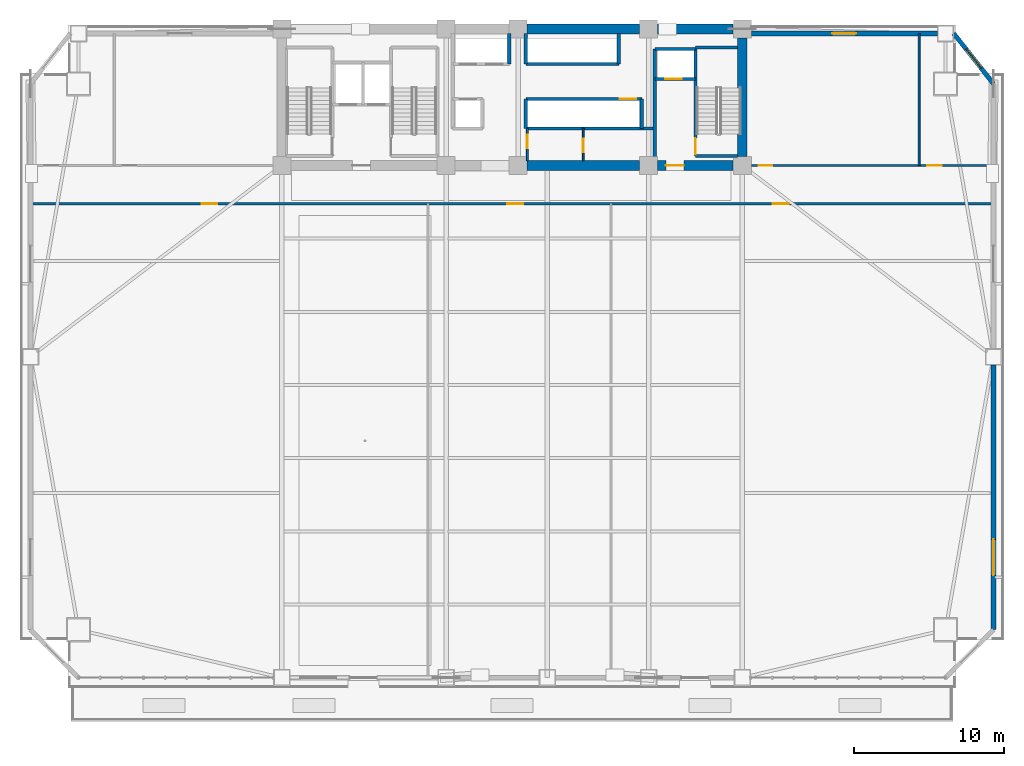
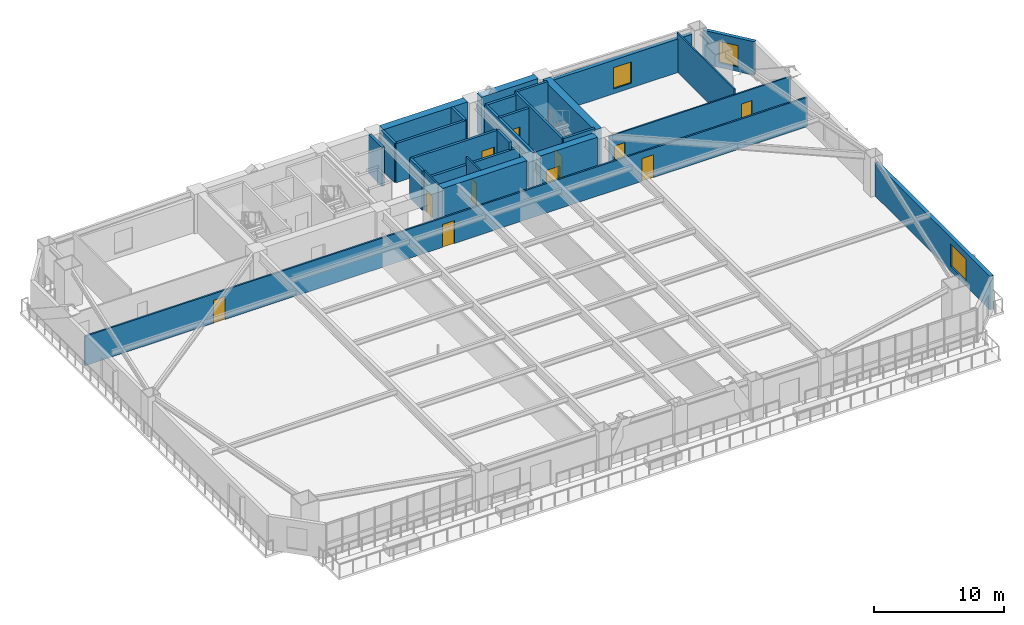
# One storey, part 10 of 17: 27 walls, 11 doors, 3 windows, 14 openings.
"""IFC4 building model written with IfcOpenShell, lengths in metres."""

from ifc_helpers import new_model, si_unit, direction, frame, frame_2d, origin, place, context, subcontext, project, spatial, rectangle, extrude, source, transform, mapped, material, layer, layer_set, type_object, element, fill, save


model = new_model("IFC4")

# Units and contexts
model_context = context("Model", 3, precision=1e-05, world=origin(), true_north=direction((0.0, 1.0)))
body_context = subcontext(model_context, "Body", "Model", "MODEL_VIEW")
ifc_project = project(units=[si_unit("LENGTHUNIT", "METRE"), si_unit("AREAUNIT", "SQUARE_METRE"), si_unit("VOLUMEUNIT", "CUBIC_METRE"), si_unit("PLANEANGLEUNIT", "RADIAN"), si_unit("MASSUNIT", "GRAM", prefix="KILO")], contexts=[model_context])

# Site, building, storey
site_placement = place(None, origin())
site = spatial("IfcSite", under=ifc_project, at=site_placement, CompositionType="ELEMENT")
building_placement = place(site_placement, origin())
building = spatial("IfcBuilding", under=site, at=building_placement, Name="Giltprow Tower", CompositionType="ELEMENT")
storey_placement = place(building_placement, frame((0.0, 0.0, 25.39990234375)))
storey = spatial("IfcBuildingStorey", under=building, at=storey_placement, Name="L06", CompositionType="ELEMENT", Elevation=25.39990234375)

# Wall, opening, window
ifc_material_1 = material(Name="Precast concrete C40", Category="concrete")
ifc_layer_1 = layer(ifc_material_1, 0.300048828125, Name="Precast concrete C40")
ifc_layer_set_1 = layer_set([ifc_layer_1], Name="Precast concrete C40")
wall_type_1 = type_object("IfcWallType", Name="EW-NOTCH-CHAMFER-300", PredefinedType="SOLIDWALL", material=ifc_layer_set_1)
wall_1_placement = place(storey_placement, frame((67.300048828125, 42.89990234375, 0.0), z_axis=(0.0, 0.0, 1.0), x_axis=(-0.620413042185, 0.784275243194, 0.0)))
wall_1 = element("IfcWall", 1, at=wall_1_placement, inside=storey, type_object=wall_type_1, Name="L06 Corner Notch Wall NE", PredefinedType="SOLIDWALL", context=body_context, shape_type="SweptSolid", body=[
    extrude(rectangle(XDim=4.271484375, YDim=0.300048828125, at=frame_2d((2.1357421875, 0.0))), origin(), (0.0, 0.0, 1.0), 3.16015625),
])
opening_1_placement = place(wall_1_placement, frame((1.3359375, 0.0, 0.449951171875)))
opening_1 = element("IfcOpeningElement", 2, at=opening_1_placement, cuts=wall_1, Name="Opening WN17", PredefinedType="OPENING", context=body_context, shape_type="SweptSolid", body=[
    extrude(rectangle(XDim=1.60009765625, YDim=2.0, at=frame_2d((0.800048828125, 1.0))), frame((0.0, 0.159912109375, 0.0), z_axis=(0.0, -1.0, 0.0), x_axis=(1.0, 0.0, 0.0)), (0.0, 0.0, 1.0), 0.320068359375),
])
ifc_material_2 = material(Name="Insulated glass", Category="glass")
window_type_1 = type_object("IfcWindowType", Name="WN-COR-1600x2000", PartitioningType="SINGLE_PANEL", PredefinedType="WINDOW", material=ifc_material_2)
shared_shape_1 = source(origin(), body_context, "Body", "SweptSolid", [
    extrude(rectangle(XDim=1.60009765625, YDim=2.0, at=frame_2d((0.800048828125, 1.0))), frame((0.0, 0.030029296875, 0.0), z_axis=(0.0, -1.0, 0.0), x_axis=(1.0, 0.0, 0.0)), (0.0, 0.0, 1.0), 0.06005859375),
])
window_1_placement = place(opening_1_placement, origin())
window_1 = element("IfcWindow", 3, at=window_1_placement, inside=storey, type_object=window_type_1, Name="L06 Corner Notch Window NE", OverallHeight=2.0, OverallWidth=1.60009765625, PartitioningType="SINGLE_PANEL", PredefinedType="WINDOW", context=body_context, shape_type="MappedRepresentation", body=[
    mapped(shared_shape_1, transform((0.0, 0.0, 0.0), x_axis=(1.0, 0.0, 0.0), y_axis=(0.0, 1.0, 0.0), z_axis=(0.0, 0.0, 1.0), scale=1.0)),
])
fill(opening_1, window_1)

ifc_layer_2 = layer(ifc_material_1, 0.320068359375, Name="Precast concrete C40")
ifc_layer_set_2 = layer_set([ifc_layer_2], Name="Precast concrete C40")
wall_type_2 = type_object("IfcWallType", Name="EW-TOW-STONE-320", PredefinedType="SOLIDWALL", material=ifc_layer_set_2)
wall_2_placement = place(storey_placement, frame((67.300048828125, 6.5, 0.0), z_axis=(0.0, 0.0, 1.0), x_axis=(0.0, 1.0, 0.0)))
wall_2 = element("IfcWall", 4, at=wall_2_placement, inside=storey, type_object=wall_type_2, Name="L06 E Wing Masonry Wall 1", PredefinedType="SOLIDWALL", context=body_context, shape_type="SweptSolid", body=[
    extrude(rectangle(XDim=17.64990234375, YDim=0.320068359375, at=frame_2d((8.824951171875, 0.0))), origin(), (0.0, 0.0, 1.0), 3.16015625),
])
opening_2_placement = place(wall_2_placement, frame((3.62890625, 0.0, 0.449951171875)))
opening_2 = element("IfcOpeningElement", 5, at=opening_2_placement, cuts=wall_2, Name="Opening WN29", PredefinedType="OPENING", context=body_context, shape_type="SweptSolid", body=[
    extrude(rectangle(XDim=2.39990234375, YDim=2.10009765625, at=frame_2d((1.199951171875, 1.050048828125))), frame((0.0, 0.169921875, 0.0), z_axis=(0.0, -1.0, 0.0), x_axis=(1.0, 0.0, 0.0)), (0.0, 0.0, 1.0), 0.340087890625),
])
window_type_2 = type_object("IfcWindowType", Name="WN-OFF-2400x2100", PartitioningType="DOUBLE_PANEL_VERTICAL", PredefinedType="WINDOW", material=ifc_material_2)
shared_shape_2 = source(origin(), body_context, "Body", "SweptSolid", [
    extrude(rectangle(XDim=2.39990234375, YDim=2.10009765625, at=frame_2d((1.199951171875, 1.050048828125))), frame((0.0, 0.030029296875, 0.0), z_axis=(0.0, -1.0, 0.0), x_axis=(1.0, 0.0, 0.0)), (0.0, 0.0, 1.0), 0.06005859375),
])
window_2_placement = place(opening_2_placement, origin())
window_2 = element("IfcWindow", 6, at=window_2_placement, inside=storey, type_object=window_type_2, Name="L06 E Wing Window 1-1A", OverallHeight=2.10009765625, OverallWidth=2.39990234375, PartitioningType="SINGLE_PANEL", PredefinedType="WINDOW", context=body_context, shape_type="MappedRepresentation", body=[
    mapped(shared_shape_2, transform((0.0, 0.0, 0.0), x_axis=(1.0, 0.0, 0.0), y_axis=(0.0, 1.0, 0.0), z_axis=(0.0, 0.0, 1.0), scale=1.0)),
])
fill(opening_2, window_2)

wall_3_placement = place(storey_placement, frame((51.14990234375, 46.25, 0.0), z_axis=(0.0, 0.0, 1.0), x_axis=(1.0, 0.0, 0.0)))
wall_3 = element("IfcWall", 7, at=wall_3_placement, inside=storey, type_object=wall_type_2, Name="L06 North-East Wing Wall", PredefinedType="SOLIDWALL", context=body_context, shape_type="SweptSolid", body=[
    extrude(rectangle(XDim=12.400146484375, YDim=0.320068359375, at=frame_2d((6.2001953125, 0.0))), origin(), (0.0, 0.0, 1.0), 3.16015625),
])
opening_3_placement = place(wall_3_placement, frame((5.39990234375, 0.0, 0.449951171875)))
opening_3 = element("IfcOpeningElement", 8, at=opening_3_placement, cuts=wall_3, Name="Opening WN17", PredefinedType="OPENING", context=body_context, shape_type="SweptSolid", body=[
    extrude(rectangle(XDim=1.60009765625, YDim=2.0, at=frame_2d((0.800048828125, 1.0))), frame((0.0, 0.169921875, 0.0), z_axis=(0.0, -1.0, 0.0), x_axis=(1.0, 0.0, 0.0)), (0.0, 0.0, 1.0), 0.340087890625),
])
window_3_placement = place(opening_3_placement, origin())
window_3 = element("IfcWindow", 9, at=window_3_placement, inside=storey, type_object=window_type_1, Name="L06 North-East Window", OverallHeight=2.0, OverallWidth=1.60009765625, PartitioningType="SINGLE_PANEL", PredefinedType="WINDOW", context=body_context, shape_type="MappedRepresentation", body=[
    mapped(shared_shape_1, transform((0.0, 0.0, 0.0), x_axis=(1.0, 0.0, 0.0), y_axis=(0.0, 1.0, 0.0), z_axis=(0.0, 0.0, 1.0), scale=1.0)),
])
fill(opening_3, window_3)

# Wall, openings, doors
ifc_material_3 = material(Name="Gypsum stud partition", Category="gypsum")
ifc_layer_3 = layer(ifc_material_3, 0.14990234375, Name="Gypsum stud partition")
ifc_layer_set_3 = layer_set([ifc_layer_3], Name="Gypsum stud partition")
wall_type_3 = type_object("IfcWallType", Name="IW-CORR-150", PredefinedType="PARTITIONING", material=ifc_layer_set_3)
wall_4_placement = place(storey_placement, frame((3.10009765625, 34.89990234375, 0.0), z_axis=(0.0, 0.0, 1.0), x_axis=(1.0, 0.0, 0.0)))
wall_4 = element("IfcWall", 10, at=wall_4_placement, inside=storey, type_object=wall_type_3, Name="L06 Office Loop Corridor Wall", PredefinedType="PARTITIONING", context=body_context, shape_type="SweptSolid", body=[
    extrude(rectangle(XDim=64.199951171875, YDim=0.14990234375, at=frame_2d((32.10009765625, 0.0))), origin(), (0.0, 0.0, 1.0), 2.76513671875),
])
opening_4_placement = place(wall_4_placement, frame((11.408935546875, 0.0, 0.0)))
opening_4 = element("IfcOpeningElement", 11, at=opening_4_placement, cuts=wall_4, Name="Opening ID31", PredefinedType="OPENING", context=body_context, shape_type="SweptSolid", body=[
    extrude(rectangle(XDim=1.050048828125, YDim=2.14990234375, at=frame_2d((0.52490234375, 1.074951171875))), frame((0.0, 0.0849609375, 0.0), z_axis=(0.0, -1.0, 0.0), x_axis=(1.0, 0.0, 0.0)), (0.0, 0.0, 1.0), 0.169921875),
])
opening_5_placement = place(wall_4_placement, frame((31.787109375, 0.0, 0.0)))
opening_5 = element("IfcOpeningElement", 12, at=opening_5_placement, cuts=wall_4, Name="Opening ID31", PredefinedType="OPENING", context=body_context, shape_type="SweptSolid", body=[
    extrude(rectangle(XDim=1.050048828125, YDim=2.14990234375, at=frame_2d((0.52490234375, 1.074951171875))), frame((0.0, 0.0849609375, 0.0), z_axis=(0.0, -1.0, 0.0), x_axis=(1.0, 0.0, 0.0)), (0.0, 0.0, 1.0), 0.169921875),
])
opening_6_placement = place(wall_4_placement, frame((49.489013671875, 0.0, 0.0)))
opening_6 = element("IfcOpeningElement", 13, at=opening_6_placement, cuts=wall_4, Name="Opening ID31", PredefinedType="OPENING", context=body_context, shape_type="SweptSolid", body=[
    extrude(rectangle(XDim=1.050048828125, YDim=2.14990234375, at=frame_2d((0.52490234375, 1.074951171875))), frame((0.0, 0.0849609375, 0.0), z_axis=(0.0, -1.0, 0.0), x_axis=(1.0, 0.0, 0.0)), (0.0, 0.0, 1.0), 0.169921875),
])
ifc_material_4 = material(Name="Engineered timber", Category="wood")
door_type_1 = type_object("IfcDoorType", Name="DR-SUITE-1050", OperationType="SINGLE_SWING_LEFT", PredefinedType="DOOR", material=ifc_material_4)
shared_shape_3 = source(origin(), body_context, "Body", "SweptSolid", [
    extrude(rectangle(XDim=1.050048828125, YDim=2.14990234375, at=frame_2d((0.52490234375, 1.074951171875))), frame((0.0, 0.02490234375, 0.0), z_axis=(0.0, -1.0, 0.0), x_axis=(1.0, 0.0, 0.0)), (0.0, 0.0, 1.0), 0.050048828125),
])
door_1_placement = place(opening_4_placement, origin())
door_1 = element("IfcDoor", 14, at=door_1_placement, inside=storey, type_object=door_type_1, Name="L06 Open-Plan Harbour Office 1 Door", OperationType="SINGLE_SWING_LEFT", OverallHeight=2.14990234375, OverallWidth=1.050048828125, PredefinedType="DOOR", context=body_context, shape_type="MappedRepresentation", body=[
    mapped(shared_shape_3, transform((0.0, 0.0, 0.0), x_axis=(1.0, 0.0, 0.0), y_axis=(0.0, 1.0, 0.0), z_axis=(0.0, 0.0, 1.0), scale=1.0)),
])
fill(opening_4, door_1)
door_2_placement = place(opening_5_placement, origin())
door_2 = element("IfcDoor", 15, at=door_2_placement, inside=storey, type_object=door_type_1, Name="L06 Advisory Floorplate Office 2 Door", OperationType="SINGLE_SWING_RIGHT", OverallHeight=2.14990234375, OverallWidth=1.050048828125, PredefinedType="DOOR", context=body_context, shape_type="MappedRepresentation", body=[
    mapped(shared_shape_3, transform((0.0, 0.0, 0.0), x_axis=(1.0, 0.0, 0.0), y_axis=(0.0, 1.0, 0.0), z_axis=(0.0, 0.0, 1.0), scale=1.0)),
])
fill(opening_5, door_2)
door_3_placement = place(opening_6_placement, origin())
door_3 = element("IfcDoor", 16, at=door_3_placement, inside=storey, type_object=door_type_1, Name="L06 Trading Floorplate Office 3 Door", OperationType="SINGLE_SWING_LEFT", OverallHeight=2.14990234375, OverallWidth=1.050048828125, PredefinedType="DOOR", context=body_context, shape_type="MappedRepresentation", body=[
    mapped(shared_shape_3, transform((0.0, 0.0, 0.0), x_axis=(1.0, 0.0, 0.0), y_axis=(0.0, 1.0, 0.0), z_axis=(0.0, 0.0, 1.0), scale=1.0)),
])
fill(opening_6, door_3)

# Wall, opening, door
ifc_material_5 = material(Name="Concrete C40", Category="concrete")
ifc_layer_4 = layer(ifc_material_5, 0.219970703125, Name="Concrete C40")
ifc_layer_set_4 = layer_set([ifc_layer_4], Name="Concrete C40")
wall_type_4 = type_object("IfcWallType", Name="IW-SHAFT-220", PredefinedType="SOLIDWALL", material=ifc_layer_set_4)
wall_5_placement = place(storey_placement, frame((44.719970703125, 43.219970703125, 0.0), z_axis=(0.0, 0.0, 1.0), x_axis=(1.0, 0.0, 0.0)))
wall_5 = element("IfcWall", 17, at=wall_5_placement, inside=storey, type_object=wall_type_4, Name="L06 FFL2 Front Shaft Wall", PredefinedType="SOLIDWALL", context=body_context, shape_type="SweptSolid", body=[
    extrude(rectangle(XDim=2.719970703125, YDim=0.219970703125, at=frame_2d((1.35986328125, 0.0))), origin(), (0.0, 0.0, 1.0), 3.68017578125),
])
opening_7_placement = place(wall_5_placement, frame((0.699951171875, 0.0, 0.0)))
opening_7 = element("IfcOpeningElement", 18, at=opening_7_placement, cuts=wall_5, Name="Opening LD-11", PredefinedType="OPENING", context=body_context, shape_type="SweptSolid", body=[
    extrude(rectangle(XDim=1.10009765625, YDim=2.199951171875, at=frame_2d((0.550048828125, 1.10009765625))), frame((0.0, 0.119873046875, 0.0), z_axis=(0.0, -1.0, 0.0), x_axis=(1.0, 0.0, 0.0)), (0.0, 0.0, 1.0), 0.239990234375),
])
ifc_material_6 = material(Name="Stainless steel", Category="steel")
door_type_2 = type_object("IfcDoorType", Name="DR-LIFT-LD1100", OperationType="SLIDING_TO_LEFT", PredefinedType="DOOR", material=ifc_material_6)
shared_shape_4 = source(origin(), body_context, "Body", "SweptSolid", [
    extrude(rectangle(XDim=1.10009765625, YDim=2.199951171875, at=frame_2d((0.550048828125, 1.10009765625))), frame((0.0, 0.02490234375, 0.0), z_axis=(0.0, -1.0, 0.0), x_axis=(1.0, 0.0, 0.0)), (0.0, 0.0, 1.0), 0.050048828125),
])
door_4_placement = place(opening_7_placement, origin())
door_4 = element("IfcDoor", 19, at=door_4_placement, inside=storey, type_object=door_type_2, Name="L06 FFL2 Landing Door", OperationType="SLIDING_TO_LEFT", OverallHeight=2.199951171875, OverallWidth=1.10009765625, PredefinedType="DOOR", context=body_context, shape_type="MappedRepresentation", body=[
    mapped(shared_shape_4, transform((0.0, 0.0, 0.0), x_axis=(1.0, 0.0, 0.0), y_axis=(0.0, 1.0, 0.0), z_axis=(0.0, 0.0, 1.0), scale=1.0)),
])
fill(opening_7, door_4)

# Walls
wall_6_placement = place(storey_placement, frame((44.719970703125, 45.219970703125, 0.0), z_axis=(0.0, 0.0, 1.0), x_axis=(1.0, 0.0, 0.0)))
element("IfcWall", 20, at=wall_6_placement, inside=storey, type_object=wall_type_4, Name="L06 FFL2 Back Shaft Wall", PredefinedType="SOLIDWALL", context=body_context, shape_type="SweptSolid", body=[
    extrude(rectangle(XDim=2.719970703125, YDim=0.219970703125, at=frame_2d((1.35986328125, 0.0))), origin(), (0.0, 0.0, 1.0), 3.68017578125),
])
wall_7_placement = place(storey_placement, frame((44.719970703125, 37.7548828125, 0.0), z_axis=(0.0, 0.0, 1.0), x_axis=(0.0, 1.0, 0.0)))
element("IfcWall", 21, at=wall_7_placement, inside=storey, type_object=wall_type_4, Name="L06 East Firefighting Lobby West Wall", PredefinedType="SOLIDWALL", context=body_context, shape_type="SweptSolid", body=[
    extrude(rectangle(XDim=7.465087890625, YDim=0.219970703125, at=frame_2d((3.732421875, 0.0))), origin(), (0.0, 0.0, 1.0), 3.68017578125),
])
wall_8_placement = place(storey_placement, frame((36.1201171875, 44.219970703125, 0.0), z_axis=(0.0, 0.0, 1.0), x_axis=(1.0, 0.0, 0.0)))
element("IfcWall", 22, at=wall_8_placement, inside=storey, type_object=wall_type_4, Name="L06 North East Lift Shaft Front Wall", PredefinedType="SOLIDWALL", context=body_context, shape_type="SweptSolid", body=[
    extrude(rectangle(XDim=6.199951171875, YDim=0.219970703125, at=frame_2d((3.10009765625, 0.0))), origin(), (0.0, 0.0, 1.0), 3.68017578125),
])
for number, where, z_axis, x_axis, name in (
    (23, (35.02001953125, 44.219970703125, 0.0), (0.0, 0.0, 1.0), (0.0, 1.0, 0.0), "L06 North West Lift Shaft East Closure"),
    (24, (36.1201171875, 44.219970703125, 0.0), (0.0, 0.0, 1.0), (0.0, 1.0, 0.0), "L06 North East Lift Shaft West Closure"),
    (25, (42.320068359375, 44.219970703125, 0.0), (0.0, 0.0, 1.0), (0.0, 1.0, 0.0), "L06 North East Lift Shaft East Closure"),
):
    element("IfcWall", number, at=place(storey_placement, frame(where, z_axis=z_axis, x_axis=x_axis)), inside=storey, type_object=wall_type_4, Name=name, PredefinedType="SOLIDWALL", context=body_context, shape_type="SweptSolid", body=[
        extrude(rectangle(XDim=2.025146484375, YDim=0.219970703125, at=frame_2d((1.0126953125, 0.0))), origin(), (0.0, 0.0, 1.0), 3.68017578125),
    ])

# Wall, opening, door
wall_9_placement = place(storey_placement, frame((36.1201171875, 41.8798828125, 0.0), z_axis=(0.0, 0.0, 1.0), x_axis=(1.0, 0.0, 0.0)))
wall_9 = element("IfcWall", 26, at=wall_9_placement, inside=storey, type_object=wall_type_4, Name="L06 South East Lift Shaft Front Wall", PredefinedType="SOLIDWALL", context=body_context, shape_type="SweptSolid", body=[
    extrude(rectangle(XDim=7.72998046875, YDim=0.219970703125, at=frame_2d((3.864990234375, 0.0))), origin(), (0.0, 0.0, 1.0), 3.68017578125),
])
opening_8_placement = place(wall_9_placement, frame((6.260009765625, 0.0, 0.0)))
opening_8 = element("IfcOpeningElement", 27, at=opening_8_placement, cuts=wall_9, Name="Opening LD-11", PredefinedType="OPENING", context=body_context, shape_type="SweptSolid", body=[
    extrude(rectangle(XDim=1.10009765625, YDim=2.199951171875, at=frame_2d((0.550048828125, 1.10009765625))), frame((0.0, 0.119873046875, 0.0), z_axis=(0.0, -1.0, 0.0), x_axis=(1.0, 0.0, 0.0)), (0.0, 0.0, 1.0), 0.239990234375),
])
door_5_placement = place(opening_8_placement, origin())
door_5 = element("IfcDoor", 28, at=door_5_placement, inside=storey, type_object=door_type_2, Name="L06 PL-L4 Landing Door", OperationType="SLIDING_TO_LEFT", OverallHeight=2.199951171875, OverallWidth=1.10009765625, PredefinedType="DOOR", context=body_context, shape_type="MappedRepresentation", body=[
    mapped(shared_shape_4, transform((0.0, 0.0, 0.0), x_axis=(1.0, 0.0, 0.0), y_axis=(0.0, 1.0, 0.0), z_axis=(0.0, 0.0, 1.0), scale=1.0)),
])
fill(opening_8, door_5)

# Walls
wall_10_placement = place(storey_placement, frame((36.1201171875, 39.919921875, 0.0), z_axis=(0.0, 0.0, 1.0), x_axis=(1.0, 0.0, 0.0)))
element("IfcWall", 29, at=wall_10_placement, inside=storey, type_object=wall_type_4, Name="L06 Express South Shaft Back Wall", PredefinedType="SOLIDWALL", context=body_context, shape_type="SweptSolid", body=[
    extrude(rectangle(XDim=8.599853515625, YDim=0.219970703125, at=frame_2d((4.2998046875, 0.0))), origin(), (0.0, 0.0, 1.0), 2.965087890625),
])
for number, where, z_axis, x_axis, name in (
    (30, (36.1201171875, 39.919921875, 0.0), (0.0, 0.0, 1.0), (0.0, 1.0, 0.0), "L06 Express South Shaft West Closure"),
    (31, (43.85009765625, 39.919921875, 0.0), (0.0, 0.0, 1.0), (0.0, 1.0, 0.0), "L06 Lift Bank South-East Closure"),
):
    element("IfcWall", number, at=place(storey_placement, frame(where, z_axis=z_axis, x_axis=x_axis)), inside=storey, type_object=wall_type_4, Name=name, PredefinedType="SOLIDWALL", context=body_context, shape_type="SweptSolid", body=[
        extrude(rectangle(XDim=1.9599609375, YDim=0.219970703125, at=frame_2d((0.97998046875, 0.0))), origin(), (0.0, 0.0, 1.0), 3.68017578125),
    ])

# Wall, opening, door
ifc_layer_5 = layer(ifc_material_5, 0.199951171875, Name="Concrete C40")
ifc_layer_set_5 = layer_set([ifc_layer_5], Name="Concrete C40")
wall_type_5 = type_object("IfcWallType", Name="IW-STAIR-200", PredefinedType="SOLIDWALL", material=ifc_layer_set_5)
wall_11_placement = place(storey_placement, frame((47.43994140625, 38.070068359375, 0.0), z_axis=(0.0, 0.0, 1.0), x_axis=(0.0, 1.0, 0.0)))
wall_11 = element("IfcWall", 32, at=wall_11_placement, inside=storey, type_object=wall_type_5, Name="L06 Stair ST-3 West Bearing Wall", PredefinedType="SOLIDWALL", context=body_context, shape_type="SweptSolid", body=[
    extrude(rectangle(XDim=7.25, YDim=0.199951171875, at=frame_2d((3.625, 0.0))), origin(), (0.0, 0.0, 1.0), 3.900146484375),
])
opening_9_placement = place(wall_11_placement, frame((0.110107421875, 0.0, 0.0)))
opening_9 = element("IfcOpeningElement", 33, at=opening_9_placement, cuts=wall_11, Name="Opening ID33", PredefinedType="OPENING", context=body_context, shape_type="SweptSolid", body=[
    extrude(rectangle(XDim=1.10009765625, YDim=2.14990234375, at=frame_2d((0.550048828125, 1.074951171875))), frame((0.0, 0.10986328125, 0.0), z_axis=(0.0, -1.0, 0.0), x_axis=(1.0, 0.0, 0.0)), (0.0, 0.0, 1.0), 0.219970703125),
])
ifc_material_7 = material(Name="Steel fire leaf", Category="steel")
door_type_3 = type_object("IfcDoorType", Name="DR-STAIR-1100", OperationType="SINGLE_SWING_LEFT", PredefinedType="DOOR", material=ifc_material_7)
shared_shape_5 = source(origin(), body_context, "Body", "SweptSolid", [
    extrude(rectangle(XDim=1.10009765625, YDim=2.14990234375, at=frame_2d((0.550048828125, 1.074951171875))), frame((0.0, 0.02490234375, 0.0), z_axis=(0.0, -1.0, 0.0), x_axis=(1.0, 0.0, 0.0)), (0.0, 0.0, 1.0), 0.050048828125),
])
door_6_placement = place(opening_9_placement, origin())
door_6 = element("IfcDoor", 34, at=door_6_placement, inside=storey, type_object=door_type_3, Name="L06 Stair ST-3 Fire Door", OperationType="SINGLE_SWING_RIGHT", OverallHeight=2.14990234375, OverallWidth=1.10009765625, PredefinedType="DOOR", context=body_context, shape_type="MappedRepresentation", body=[
    mapped(shared_shape_5, transform((0.0, 0.0, 0.0), x_axis=(1.0, 0.0, 0.0), y_axis=(0.0, 1.0, 0.0), z_axis=(0.0, 0.0, 1.0), scale=1.0)),
])
fill(opening_9, door_6)

# Walls
for number, where, z_axis, x_axis, name in (
    (35, (47.43994140625, 45.320068359375, 0.0), (0.0, 0.0, 1.0), (1.0, 0.0, 0.0), "L06 Stair ST-3 North Bearing Wall"),
    (36, (47.43994140625, 38.070068359375, 0.0), (0.0, 0.0, 1.0), (1.0, 0.0, 0.0), "L06 Stair ST-3 South Bearing Wall"),
):
    element("IfcWall", number, at=place(storey_placement, frame(where, z_axis=z_axis, x_axis=x_axis)), inside=storey, type_object=wall_type_5, Name=name, PredefinedType="SOLIDWALL", context=body_context, shape_type="SweptSolid", body=[
        extrude(rectangle(XDim=2.80517578125, YDim=0.199951171875, at=frame_2d((1.402587890625, 0.0))), origin(), (0.0, 0.0, 1.0), 3.900146484375),
    ])

# Wall, opening, door
ifc_material_8 = material(Name="Concrete C30", Category="concrete")
ifc_layer_6 = layer(ifc_material_8, 0.1298828125, Name="Concrete C30")
ifc_layer_set_6 = layer_set([ifc_layer_6], Name="Concrete C30")
wall_type_6 = type_object("IfcWallType", Name="IW-WET-130", PredefinedType="PARTITIONING", material=ifc_layer_set_6)
wall_12_placement = place(storey_placement, frame((36.219970703125, 37.7548828125, 0.0), z_axis=(0.0, 0.0, 1.0), x_axis=(0.0, 1.0, 0.0)))
wall_12 = element("IfcWall", 37, at=wall_12_placement, inside=storey, type_object=wall_type_6, Name="L06 Core Suite West Wall", PredefinedType="PARTITIONING", context=body_context, shape_type="SweptSolid", body=[
    extrude(rectangle(XDim=2.1650390625, YDim=0.1298828125, at=frame_2d((1.08251953125, 0.0))), origin(), (0.0, 0.0, 1.0), 3.68017578125),
])
opening_10_placement = place(wall_12_placement, frame((0.85498046875, 0.0, 0.0)))
opening_10 = element("IfcOpeningElement", 38, at=opening_10_placement, cuts=wall_12, Name="Opening ID35", PredefinedType="OPENING", context=body_context, shape_type="SweptSolid", body=[
    extrude(rectangle(XDim=0.89990234375, YDim=2.10009765625, at=frame_2d((0.449951171875, 1.050048828125))), frame((0.0, 0.074951171875, 0.0), z_axis=(0.0, -1.0, 0.0), x_axis=(1.0, 0.0, 0.0)), (0.0, 0.0, 1.0), 0.14990234375),
])
door_type_4 = type_object("IfcDoorType", Name="DR-SHAFT-900", OperationType="SINGLE_SWING_LEFT", PredefinedType="DOOR", material=ifc_material_7)
shared_shape_6 = source(origin(), body_context, "Body", "SweptSolid", [
    extrude(rectangle(XDim=0.89990234375, YDim=2.10009765625, at=frame_2d((0.449951171875, 1.050048828125))), frame((0.0, 0.02490234375, 0.0), z_axis=(0.0, -1.0, 0.0), x_axis=(1.0, 0.0, 0.0)), (0.0, 0.0, 1.0), 0.050048828125),
])
door_7_placement = place(opening_10_placement, origin())
door_7 = element("IfcDoor", 39, at=door_7_placement, inside=storey, type_object=door_type_4, Name="L06 Core Powder Room Door", OperationType="SINGLE_SWING_RIGHT", OverallHeight=2.10009765625, OverallWidth=0.89990234375, PredefinedType="DOOR", context=body_context, shape_type="MappedRepresentation", body=[
    mapped(shared_shape_6, transform((0.0, 0.0, 0.0), x_axis=(1.0, 0.0, 0.0), y_axis=(0.0, 1.0, 0.0), z_axis=(0.0, 0.0, 1.0), scale=1.0)),
])
fill(opening_10, door_7)

wall_13_placement = place(storey_placement, frame((39.949951171875, 37.7548828125, 0.0), z_axis=(0.0, 0.0, 1.0), x_axis=(0.0, 1.0, 0.0)))
wall_13 = element("IfcWall", 40, at=wall_13_placement, inside=storey, type_object=wall_type_6, Name="L06 Core Suite Divider", PredefinedType="PARTITIONING", context=body_context, shape_type="SweptSolid", body=[
    extrude(rectangle(XDim=2.1650390625, YDim=0.1298828125, at=frame_2d((1.08251953125, 0.0))), origin(), (0.0, 0.0, 1.0), 3.68017578125),
])
opening_11_placement = place(wall_13_placement, frame((0.56494140625, 0.0, 0.0)))
opening_11 = element("IfcOpeningElement", 41, at=opening_11_placement, cuts=wall_13, Name="Opening ID35", PredefinedType="OPENING", context=body_context, shape_type="SweptSolid", body=[
    extrude(rectangle(XDim=0.89990234375, YDim=2.10009765625, at=frame_2d((0.449951171875, 1.050048828125))), frame((0.0, 0.074951171875, 0.0), z_axis=(0.0, -1.0, 0.0), x_axis=(1.0, 0.0, 0.0)), (0.0, 0.0, 1.0), 0.14990234375),
])
door_8_placement = place(opening_11_placement, origin())
door_8 = element("IfcDoor", 42, at=door_8_placement, inside=storey, type_object=door_type_4, Name="L06 Core Pantry Closet Door", OperationType="SINGLE_SWING_RIGHT", OverallHeight=2.10009765625, OverallWidth=0.89990234375, PredefinedType="DOOR", context=body_context, shape_type="MappedRepresentation", body=[
    mapped(shared_shape_6, transform((0.0, 0.0, 0.0), x_axis=(1.0, 0.0, 0.0), y_axis=(0.0, 1.0, 0.0), z_axis=(0.0, 0.0, 1.0), scale=1.0)),
])
fill(opening_11, door_8)

# Wall, openings, doors
wall_14_placement = place(storey_placement, frame((51.14990234375, 37.449951171875, 0.0), z_axis=(0.0, 0.0, 1.0), x_axis=(1.0, 0.0, 0.0)))
wall_14 = element("IfcWall", 43, at=wall_14_placement, inside=storey, type_object=wall_type_6, Name="L06 NE Wing South Wall", PredefinedType="PARTITIONING", context=body_context, shape_type="SweptSolid", body=[
    extrude(rectangle(XDim=16.150146484375, YDim=0.1298828125, at=frame_2d((8.0751953125, 0.0))), origin(), (0.0, 0.0, 1.0), 3.1650390625),
])
opening_12_placement = place(wall_14_placement, frame((0.5, 0.0, 0.0)))
opening_12 = element("IfcOpeningElement", 44, at=opening_12_placement, cuts=wall_14, Name="Opening ID15", PredefinedType="OPENING", context=body_context, shape_type="SweptSolid", body=[
    extrude(rectangle(XDim=0.89990234375, YDim=2.10009765625, at=frame_2d((0.449951171875, 1.050048828125))), frame((0.0, 0.074951171875, 0.0), z_axis=(0.0, -1.0, 0.0), x_axis=(1.0, 0.0, 0.0)), (0.0, 0.0, 1.0), 0.14990234375),
])
opening_13_placement = place(wall_14_placement, frame((11.7451171875, 0.0, 0.0)))
opening_13 = element("IfcOpeningElement", 45, at=opening_13_placement, cuts=wall_14, Name="Opening ID11", PredefinedType="OPENING", context=body_context, shape_type="SweptSolid", body=[
    extrude(rectangle(XDim=0.949951171875, YDim=2.10009765625, at=frame_2d((0.47509765625, 1.050048828125))), frame((0.0, 0.074951171875, 0.0), z_axis=(0.0, -1.0, 0.0), x_axis=(1.0, 0.0, 0.0)), (0.0, 0.0, 1.0), 0.14990234375),
])
door_type_5 = type_object("IfcDoorType", Name="DR-WC-900", OperationType="SINGLE_SWING_LEFT", PredefinedType="DOOR", material=ifc_material_4)
door_9_placement = place(opening_12_placement, origin())
door_9 = element("IfcDoor", 46, at=door_9_placement, inside=storey, type_object=door_type_5, Name="L06 East Wing Washroom Door", OperationType="SINGLE_SWING_RIGHT", OverallHeight=2.10009765625, OverallWidth=0.89990234375, PredefinedType="DOOR", context=body_context, shape_type="MappedRepresentation", body=[
    mapped(shared_shape_6, transform((0.0, 0.0, 0.0), x_axis=(1.0, 0.0, 0.0), y_axis=(0.0, 1.0, 0.0), z_axis=(0.0, 0.0, 1.0), scale=1.0)),
])
fill(opening_12, door_9)
door_type_6 = type_object("IfcDoorType", Name="DR-ROOM-950", OperationType="SINGLE_SWING_RIGHT", PredefinedType="DOOR", material=ifc_material_4)
shared_shape_7 = source(origin(), body_context, "Body", "SweptSolid", [
    extrude(rectangle(XDim=0.949951171875, YDim=2.10009765625, at=frame_2d((0.47509765625, 1.050048828125))), frame((0.0, 0.02490234375, 0.0), z_axis=(0.0, -1.0, 0.0), x_axis=(1.0, 0.0, 0.0)), (0.0, 0.0, 1.0), 0.050048828125),
])
door_10_placement = place(opening_13_placement, origin())
door_10 = element("IfcDoor", 47, at=door_10_placement, inside=storey, type_object=door_type_6, Name="L06 East Tenant Archive Store Door", OperationType="SINGLE_SWING_LEFT", OverallHeight=2.10009765625, OverallWidth=0.949951171875, PredefinedType="DOOR", context=body_context, shape_type="MappedRepresentation", body=[
    mapped(shared_shape_7, transform((0.0, 0.0, 0.0), x_axis=(1.0, 0.0, 0.0), y_axis=(0.0, 1.0, 0.0), z_axis=(0.0, 0.0, 1.0), scale=1.0)),
])
fill(opening_13, door_10)

# Walls
wall_15_placement = place(storey_placement, frame((62.344970703125, 37.449951171875, 0.0), z_axis=(0.0, 0.0, 1.0), x_axis=(0.0, 1.0, 0.0)))
element("IfcWall", 48, at=wall_15_placement, inside=storey, type_object=wall_type_6, Name="L06 NE Wing Divider", PredefinedType="PARTITIONING", context=body_context, shape_type="SweptSolid", body=[
    extrude(rectangle(XDim=8.800048828125, YDim=0.1298828125, at=frame_2d((4.39990234375, 0.0))), origin(), (0.0, 0.0, 1.0), 3.68017578125),
])
ifc_material_9 = material(Name="Concrete C60", Category="concrete")
ifc_layer_7 = layer(ifc_material_9, 0.64990234375, Name="Concrete C60")
ifc_layer_set_7 = layer_set([ifc_layer_7], Name="Concrete C60")
wall_type_7 = type_object("IfcWallType", Name="SW-EXT-650-C60", PredefinedType="SHEAR", material=ifc_layer_set_7)
wall_16_placement = place(storey_placement, frame((36.199951171875, 46.550048828125, 0.0), z_axis=(0.0, 0.0, 1.0), x_axis=(1.0, 0.0, 0.0)))
element("IfcWall", 49, at=wall_16_placement, inside=storey, type_object=wall_type_7, Name="L06 North Rear Core Shear Wall 3", PredefinedType="SHEAR", context=body_context, shape_type="SweptSolid", body=[
    extrude(rectangle(XDim=7.5, YDim=0.64990234375, at=frame_2d((3.75, 0.0))), origin(), (0.0, 0.0, 1.0), 3.68017578125),
])
wall_17_placement = place(storey_placement, frame((44.89990234375, 46.550048828125, 0.0), z_axis=(0.0, 0.0, 1.0), x_axis=(1.0, 0.0, 0.0)))
element("IfcWall", 50, at=wall_17_placement, inside=storey, type_object=wall_type_7, Name="L06 North Rear Core Shear Wall 4", PredefinedType="SHEAR", context=body_context, shape_type="SweptSolid", body=[
    extrude(rectangle(XDim=5.050048828125, YDim=0.64990234375, at=frame_2d((2.52490234375, 0.0))), origin(), (0.0, 0.0, 1.0), 3.68017578125),
])
ifc_layer_8 = layer(ifc_material_9, 0.64990234375, Name="Concrete C60")
ifc_layer_set_8 = layer_set([ifc_layer_8], Name="Concrete C60")
wall_type_8 = type_object("IfcWallType", Name="SW-INT-650-C60", PredefinedType="SHEAR", material=ifc_layer_set_8)
wall_18_placement = place(storey_placement, frame((36.199951171875, 37.449951171875, 0.0), z_axis=(0.0, 0.0, 1.0), x_axis=(1.0, 0.0, 0.0)))
element("IfcWall", 51, at=wall_18_placement, inside=storey, type_object=wall_type_8, Name="L06 South Rear Core Shear Wall Mid-East", PredefinedType="SHEAR", context=body_context, shape_type="SweptSolid", body=[
    extrude(rectangle(XDim=7.5, YDim=0.64990234375, at=frame_2d((3.75, 0.0))), origin(), (0.0, 0.0, 1.0), 3.68017578125),
])

# Wall, opening, door
wall_19_placement = place(storey_placement, frame((44.89990234375, 37.449951171875, 0.0), z_axis=(0.0, 0.0, 1.0), x_axis=(1.0, 0.0, 0.0)))
wall_19 = element("IfcWall", 52, at=wall_19_placement, inside=storey, type_object=wall_type_8, Name="L06 South Rear Core Shear Wall East", PredefinedType="SHEAR", context=body_context, shape_type="SweptSolid", body=[
    extrude(rectangle(XDim=5.050048828125, YDim=0.64990234375, at=frame_2d((2.52490234375, 0.0))), origin(), (0.0, 0.0, 1.0), 3.68017578125),
])
opening_14_placement = place(wall_19_placement, frame((0.550048828125, 0.0, 0.0)))
opening_14 = element("IfcOpeningElement", 53, at=opening_14_placement, cuts=wall_19, Name="Opening ID19", PredefinedType="OPENING", context=body_context, shape_type="SweptSolid", body=[
    extrude(rectangle(XDim=1.199951171875, YDim=2.14990234375, at=frame_2d((0.60009765625, 1.074951171875))), frame((0.0, 0.3349609375, 0.0), z_axis=(0.0, -1.0, 0.0), x_axis=(1.0, 0.0, 0.0)), (0.0, 0.0, 1.0), 0.669921875),
])
door_type_7 = type_object("IfcDoorType", Name="DR-FFLOBBY-1200", OperationType="SINGLE_SWING_RIGHT", PredefinedType="DOOR", material=ifc_material_7)
shared_shape_8 = source(origin(), body_context, "Body", "SweptSolid", [
    extrude(rectangle(XDim=1.199951171875, YDim=2.14990234375, at=frame_2d((0.60009765625, 1.074951171875))), frame((0.0, 0.02490234375, 0.0), z_axis=(0.0, -1.0, 0.0), x_axis=(1.0, 0.0, 0.0)), (0.0, 0.0, 1.0), 0.050048828125),
])
door_11_placement = place(opening_14_placement, origin())
door_11 = element("IfcDoor", 54, at=door_11_placement, inside=storey, type_object=door_type_7, Name="L06 East Firefighting Lobby Entry Door", OperationType="SINGLE_SWING_RIGHT", OverallHeight=2.14990234375, OverallWidth=1.199951171875, PredefinedType="DOOR", context=body_context, shape_type="MappedRepresentation", body=[
    mapped(shared_shape_8, transform((0.0, 0.0, 0.0), x_axis=(1.0, 0.0, 0.0), y_axis=(0.0, 1.0, 0.0), z_axis=(0.0, 0.0, 1.0), scale=1.0)),
])
fill(opening_14, door_11)

# Wall
wall_20_placement = place(storey_placement, frame((50.550048828125, 38.050048828125, 0.0), z_axis=(0.0, 0.0, 1.0), x_axis=(0.0, 1.0, 0.0)))
element("IfcWall", 55, at=wall_20_placement, inside=storey, type_object=wall_type_8, Name="L06 E Rear Core Shear Wall", PredefinedType="SHEAR", context=body_context, shape_type="SweptSolid", body=[
    extrude(rectangle(XDim=7.89990234375, YDim=0.64990234375, at=frame_2d((3.949951171875, 0.0))), origin(), (0.0, 0.0, 1.0), 3.68017578125),
])

save(model, "model.ifc")
